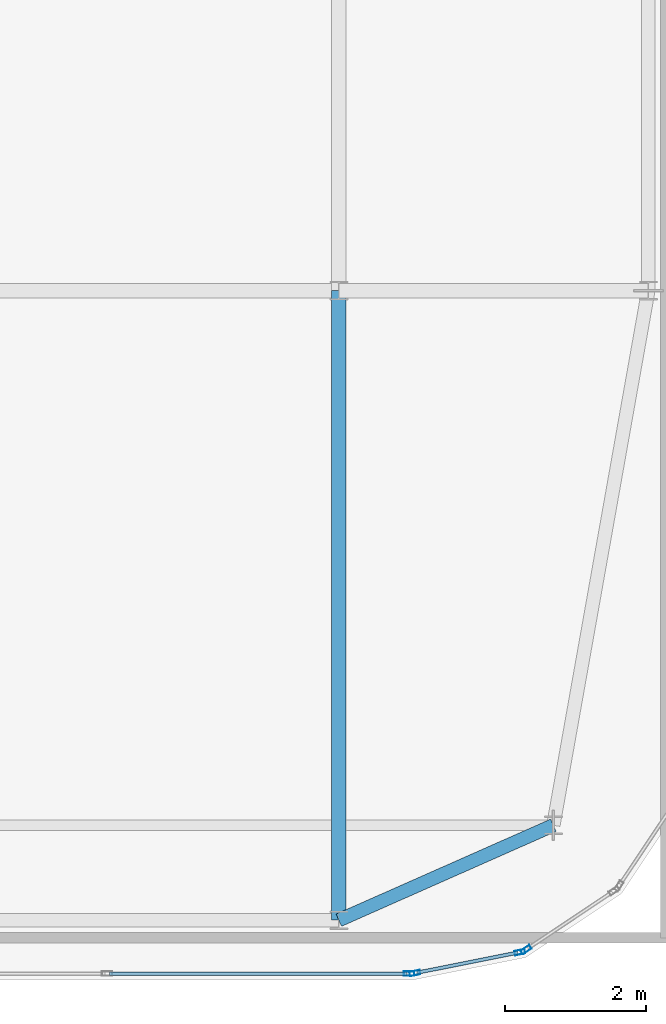
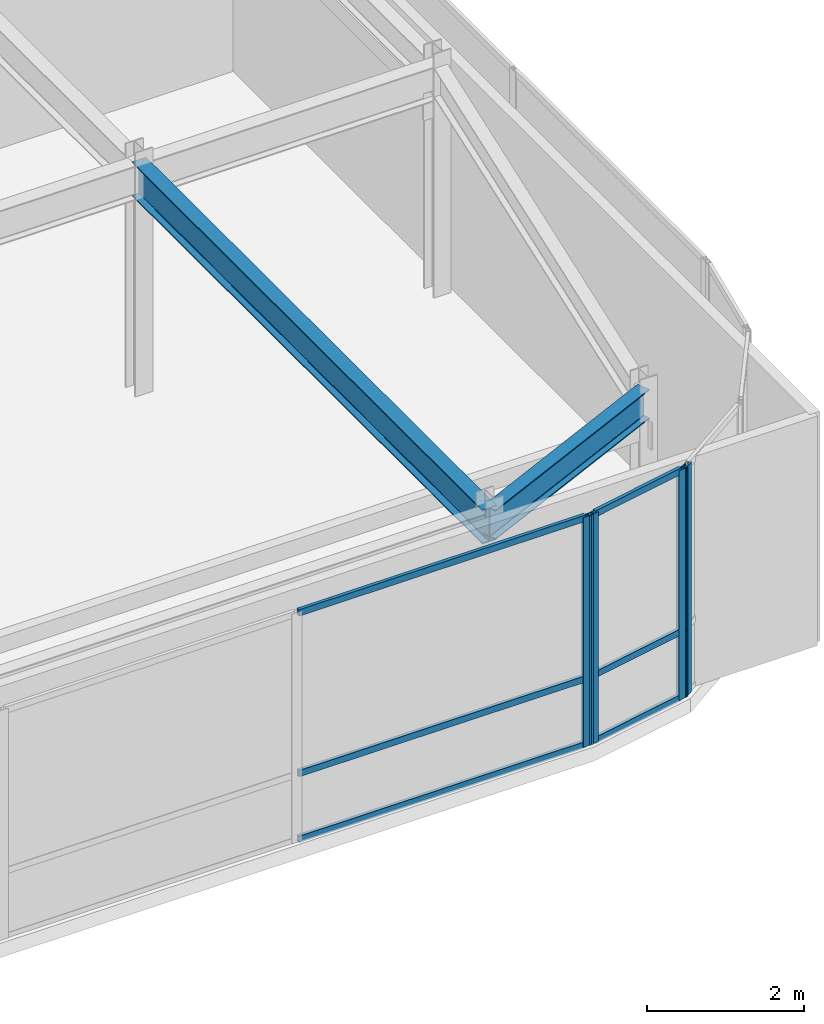
# One storey, part 14 of 36: 10 members, 2 beams, 3 elements without a shape of their own.
"""IFC4 building model written with IfcOpenShell, lengths in metres."""

from ifc_helpers import new_model, si_unit, direction, frame, origin, origin_2d, place, context, subcontext, project, spatial, hollow_rectangle, i_section, extrude, source, transform, mapped, material, layer, layer_set, material_profile, profile_set, type_object, type_shapes, element, aggregate, save


model = new_model("IFC4")

# Units and contexts
model_context = context("Model", 3, precision=1e-05, world=origin(), true_north=direction((0.0, 1.0)))
body_context = subcontext(model_context, "Body", "Model", "MODEL_VIEW")
ifc_project = project(units=[si_unit("LENGTHUNIT", "METRE"), si_unit("AREAUNIT", "SQUARE_METRE"), si_unit("VOLUMEUNIT", "CUBIC_METRE"), si_unit("PLANEANGLEUNIT", "RADIAN"), si_unit("MASSUNIT", "GRAM", prefix="KILO")], contexts=[model_context])

# Site, building, storey
site_placement = place(None, origin())
site = spatial("IfcSite", under=ifc_project, at=site_placement, CompositionType="ELEMENT")
building_placement = place(site_placement, origin())
building = spatial("IfcBuilding", under=site, at=building_placement, Name="Tolvann Quenvar Hotel", CompositionType="ELEMENT")
storey_placement = place(building_placement, frame((0.0, 0.0, 298.550048828125)))
storey = spatial("IfcBuildingStorey", under=building, at=storey_placement, Name="L79", CompositionType="ELEMENT", Elevation=298.550048828125)

# Beams
ifc_material_1 = material(Name="Steel Grade 350", Category="steel")
ifc_material_profile_1 = material_profile(ifc_material_1, i_section(OverallWidth=0.19091796875, OverallDepth=0.4599609375, WebThickness=0.010009765625, FlangeThickness=0.01611328125, FilletRadius=0.011474609375, at=origin_2d()), Name="460UB82")
ifc_profile_set_1 = profile_set([ifc_material_profile_1], Name="Steel Grade 350")
beam_type_1 = type_object("IfcBeamType", Name="BM_SPAND_460UB82", PredefinedType="SPANDREL", material=ifc_profile_set_1)
shared_shape_1 = source(origin(), body_context, "Body", "SweptSolid", [
    extrude(i_section(OverallWidth=0.19091796875, OverallDepth=0.4599609375, WebThickness=0.010009765625, FlangeThickness=0.01611328125, FilletRadius=0.011474609375, at=origin_2d()), origin(), (0.0, 0.0, 1.0), 3.33544921875),
])
type_shapes(beam_type_1, [shared_shape_1])
beam_1_placement = place(storey_placement, frame((32.75, 7.050048828125, 3.349853515625), z_axis=(0.914447312445, 0.404704970024, 0.0), x_axis=(-0.404704970024, 0.914447312445, 0.0)))
element("IfcBeam", 1, at=beam_1_placement, inside=storey, type_object=beam_type_1, Name="BM-L79-EW-2-FP2-G2", PredefinedType="SPANDREL", context=body_context, shape_type="MappedRepresentation", body=[
    mapped(shared_shape_1, transform((0.0, 0.0, 0.0), x_axis=(1.0, 0.0, 0.0), y_axis=(0.0, 1.0, 0.0), z_axis=(0.0, 0.0, 1.0), scale=1.0)),
])
ifc_material_profile_2 = material_profile(ifc_material_1, i_section(OverallWidth=0.208984375, OverallDepth=0.532958984375, WebThickness=0.01025390625, FlangeThickness=0.015625, FilletRadius=0.013916015625, at=origin_2d()), Name="530UB92")
ifc_profile_set_2 = profile_set([ifc_material_profile_2], Name="Steel Grade 350")
beam_type_2 = type_object("IfcBeamType", Name="BM_GIRD_530UB92", PredefinedType="BEAM", material=ifc_profile_set_2)
shared_shape_2 = source(origin(), body_context, "Body", "SweptSolid", [
    extrude(i_section(OverallWidth=0.208984375, OverallDepth=0.532958984375, WebThickness=0.01025390625, FlangeThickness=0.015625, FilletRadius=0.013916015625, at=origin_2d()), origin(), (0.0, 0.0, 1.0), 8.949951171875),
])
type_shapes(beam_type_2, [shared_shape_2])
beam_2_placement = place(storey_placement, frame((32.75, 7.050048828125, 3.3134765625), z_axis=(0.0, 1.0, 0.0), x_axis=(-1.0, 0.0, 0.0)))
element("IfcBeam", 2, at=beam_2_placement, inside=storey, type_object=beam_type_2, Name="BM-L79-NS-FP2-FP4", PredefinedType="BEAM", context=body_context, shape_type="MappedRepresentation", body=[
    mapped(shared_shape_2, transform((0.0, 0.0, 0.0), x_axis=(1.0, 0.0, 0.0), y_axis=(0.0, 1.0, 0.0), z_axis=(0.0, 0.0, 1.0), scale=1.0)),
])

# Curtain wall, members
ifc_material_2 = material(Name="Thermally broken anodised architectural aluminium 6063-T6 and laminated low-E glass", Category="aluminium")
ifc_layer = layer(ifc_material_2, 0.179931640625)
ifc_layer_set = layer_set([ifc_layer], Name="Thermally broken anodised architectural aluminium 6063-T6 and laminated low-E glass")
curtain_wall_type = type_object("IfcCurtainWallType", Name="CW_SYS_LANT_06", PredefinedType="USERDEFINED", material=ifc_layer_set)
curtain_wall_1_placement = place(storey_placement, origin())
curtain_wall_1 = element("IfcCurtainWall", 3, at=curtain_wall_1_placement, inside=storey, type_object=curtain_wall_type, Name="Curtain Wall CW-LANT-06 (CWR-L79-E05)", ObjectType="UNITISED CURTAIN WALL", PredefinedType="USERDEFINED")
ifc_material_3 = material(Name="Anodised architectural aluminium 6063-T6 framing", Category="aluminium")
ifc_material_profile_3 = material_profile(ifc_material_3, hollow_rectangle(XDim=0.050048828125, YDim=0.10009765625, WallThickness=0.0029296875, at=origin_2d()), Name="100x50x3RHS")
ifc_profile_set_3 = profile_set([ifc_material_profile_3], Name="Anodised architectural aluminium 6063-T6 framing")
member_type_1 = type_object("IfcMemberType", Name="CW_TRAN_100x50", PredefinedType="USERDEFINED", material=ifc_profile_set_3)
shared_shape_3 = source(origin(), body_context, "Body", "SweptSolid", [
    extrude(hollow_rectangle(XDim=0.050048828125, YDim=0.10009765625, WallThickness=0.0029296875, at=origin_2d()), origin(), (0.0, 0.0, 1.0), 1.456787109375),
])
member_1_placement = place(storey_placement, frame((33.863037109375, 6.30419921875, 0.02490234375), z_axis=(0.980786408364, 0.195084651288, 0.0), x_axis=(-0.195084651288, 0.980786408364, 0.0)))
member_1 = element("IfcMember", 4, at=member_1_placement, type_object=member_type_1, Name="CW-LANT-06 transom 1.1", ObjectType="TRANSOM", PredefinedType="USERDEFINED", context=body_context, shape_type="MappedRepresentation", body=[
    mapped(shared_shape_3, transform((0.0, 0.0, 0.0), x_axis=(1.0, 0.0, 0.0), y_axis=(0.0, 1.0, 0.0), z_axis=(0.0, 0.0, 1.0), scale=1.0)),
])
member_2_placement = place(storey_placement, frame((33.863037109375, 6.30419921875, 1.050048828125), z_axis=(0.980786408364, 0.195084651288, 0.0), x_axis=(-0.195084651288, 0.980786408364, 0.0)))
member_2 = element("IfcMember", 5, at=member_2_placement, type_object=member_type_1, Name="CW-LANT-06 transom 1.2", ObjectType="TRANSOM", PredefinedType="USERDEFINED", context=body_context, shape_type="MappedRepresentation", body=[
    mapped(shared_shape_3, transform((0.0, 0.0, 0.0), x_axis=(1.0, 0.0, 0.0), y_axis=(0.0, 1.0, 0.0), z_axis=(0.0, 0.0, 1.0), scale=1.0)),
])
member_3_placement = place(storey_placement, frame((33.863037109375, 6.30419921875, 3.554931640625), z_axis=(0.980786408364, 0.195084651288, 0.0), x_axis=(-0.195084651288, 0.980786408364, 0.0)))
member_3 = element("IfcMember", 6, at=member_3_placement, type_object=member_type_1, Name="CW-LANT-06 transom 1.3", ObjectType="TRANSOM", PredefinedType="USERDEFINED", context=body_context, shape_type="MappedRepresentation", body=[
    mapped(shared_shape_3, transform((0.0, 0.0, 0.0), x_axis=(1.0, 0.0, 0.0), y_axis=(0.0, 1.0, 0.0), z_axis=(0.0, 0.0, 1.0), scale=1.0)),
])

curtain_wall_2_placement = place(storey_placement, origin())
curtain_wall_2 = element("IfcCurtainWall", 7, at=curtain_wall_2_placement, inside=storey, type_object=curtain_wall_type, Name="Curtain Wall CW-LANT-06 (CWR-L79-E04)", ObjectType="UNITISED CURTAIN WALL", PredefinedType="USERDEFINED")
shared_shape_4 = source(origin(), body_context, "Body", "SweptSolid", [
    extrude(hollow_rectangle(XDim=0.050048828125, YDim=0.10009765625, WallThickness=0.0029296875, at=origin_2d()), origin(), (0.0, 0.0, 1.0), 4.22998046875),
])
type_shapes(member_type_1, [shared_shape_3, shared_shape_4])
member_4_placement = place(storey_placement, frame((29.48779296875, 6.2900390625, 0.02490234375), z_axis=(1.0, 0.0, 0.0), x_axis=(0.0, 1.0, 0.0)))
member_4 = element("IfcMember", 8, at=member_4_placement, type_object=member_type_1, Name="CW-LANT-06 transom 6.1", ObjectType="TRANSOM", PredefinedType="USERDEFINED", context=body_context, shape_type="MappedRepresentation", body=[
    mapped(shared_shape_4, transform((0.0, 0.0, 0.0), x_axis=(1.0, 0.0, 0.0), y_axis=(0.0, 1.0, 0.0), z_axis=(0.0, 0.0, 1.0), scale=1.0)),
])
member_5_placement = place(storey_placement, frame((29.48779296875, 6.2900390625, 1.050048828125), z_axis=(1.0, 0.0, 0.0), x_axis=(0.0, 1.0, 0.0)))
member_5 = element("IfcMember", 9, at=member_5_placement, type_object=member_type_1, Name="CW-LANT-06 transom 6.2", ObjectType="TRANSOM", PredefinedType="USERDEFINED", context=body_context, shape_type="MappedRepresentation", body=[
    mapped(shared_shape_4, transform((0.0, 0.0, 0.0), x_axis=(1.0, 0.0, 0.0), y_axis=(0.0, 1.0, 0.0), z_axis=(0.0, 0.0, 1.0), scale=1.0)),
])
member_6_placement = place(storey_placement, frame((29.48779296875, 6.2900390625, 3.554931640625), z_axis=(1.0, 0.0, 0.0), x_axis=(0.0, 1.0, 0.0)))
member_6 = element("IfcMember", 10, at=member_6_placement, type_object=member_type_1, Name="CW-LANT-06 transom 6.3", ObjectType="TRANSOM", PredefinedType="USERDEFINED", context=body_context, shape_type="MappedRepresentation", body=[
    mapped(shared_shape_4, transform((0.0, 0.0, 0.0), x_axis=(1.0, 0.0, 0.0), y_axis=(0.0, 1.0, 0.0), z_axis=(0.0, 0.0, 1.0), scale=1.0)),
])
ifc_material_profile_4 = material_profile(ifc_material_3, hollow_rectangle(XDim=0.06494140625, YDim=0.14990234375, WallThickness=0.00390625, at=origin_2d()), Name="150x65x4RHS")
ifc_profile_set_4 = profile_set([ifc_material_profile_4], Name="Anodised architectural aluminium 6063-T6 framing")
member_type_2 = type_object("IfcMemberType", Name="CW_MULL_150x65", PredefinedType="MULLION", material=ifc_profile_set_4)
shared_shape_5 = source(origin(), body_context, "Body", "SweptSolid", [
    extrude(hollow_rectangle(XDim=0.06494140625, YDim=0.14990234375, WallThickness=0.00390625, at=origin_2d()), origin(), (0.0, 0.0, 1.0), 3.579833984375),
])
type_shapes(member_type_2, [shared_shape_5])
member_7_placement = place(storey_placement, frame((33.750244140625, 6.2900390625, 0.0), z_axis=(0.0, 0.0, 1.0), x_axis=(0.0, 1.0, 0.0)))
member_7 = element("IfcMember", 11, at=member_7_placement, type_object=member_type_2, Name="CW-LANT-06 mullion 7", PredefinedType="MULLION", context=body_context, shape_type="MappedRepresentation", body=[
    mapped(shared_shape_5, transform((0.0, 0.0, 0.0), x_axis=(1.0, 0.0, 0.0), y_axis=(0.0, 1.0, 0.0), z_axis=(0.0, 0.0, 1.0), scale=1.0)),
])
aggregate(curtain_wall_2, [member_7, member_4, member_5, member_6])

# Member
member_8_placement = place(storey_placement, frame((33.831298828125, 6.2978515625, 0.0), z_axis=(0.0, 0.0, 1.0), x_axis=(-0.195061569369, 0.980790999222, 0.0)))
member_8 = element("IfcMember", 12, at=member_8_placement, type_object=member_type_2, Name="CW-LANT-06 mullion 1", PredefinedType="MULLION", context=body_context, shape_type="MappedRepresentation", body=[
    mapped(shared_shape_5, transform((0.0, 0.0, 0.0), x_axis=(1.0, 0.0, 0.0), y_axis=(0.0, 1.0, 0.0), z_axis=(0.0, 0.0, 1.0), scale=1.0)),
])

member_9_placement = place(storey_placement, frame((35.32373046875, 6.5947265625, 0.0), z_axis=(0.0, 0.0, 1.0), x_axis=(-0.195061569369, 0.980790999222, 0.0)))
member_9 = element("IfcMember", 13, at=member_9_placement, type_object=member_type_2, Name="CW-LANT-06 mullion 2", PredefinedType="MULLION", context=body_context, shape_type="MappedRepresentation", body=[
    mapped(shared_shape_5, transform((0.0, 0.0, 0.0), x_axis=(1.0, 0.0, 0.0), y_axis=(0.0, 1.0, 0.0), z_axis=(0.0, 0.0, 1.0), scale=1.0)),
])

aggregate(curtain_wall_1, [member_8, member_9, member_1, member_2, member_3])

# Curtain wall, member
curtain_wall_3_placement = place(storey_placement, origin())
curtain_wall_3 = element("IfcCurtainWall", 14, at=curtain_wall_3_placement, inside=storey, type_object=curtain_wall_type, Name="Curtain Wall CW-LANT-06 (CWR-L79-E06)", ObjectType="UNITISED CURTAIN WALL", PredefinedType="USERDEFINED")
member_10_placement = place(storey_placement, frame((35.413330078125, 6.6318359375, 0.0), z_axis=(0.0, 0.0, 1.0), x_axis=(-0.555655769644, 0.831412452193, 0.0)))
member_10 = element("IfcMember", 15, at=member_10_placement, type_object=member_type_2, Name="CW-LANT-06 mullion 1", PredefinedType="MULLION", context=body_context, shape_type="MappedRepresentation", body=[
    mapped(shared_shape_5, transform((0.0, 0.0, 0.0), x_axis=(1.0, 0.0, 0.0), y_axis=(0.0, 1.0, 0.0), z_axis=(0.0, 0.0, 1.0), scale=1.0)),
])
aggregate(curtain_wall_3, [member_10])

save(model, "model.ifc")
